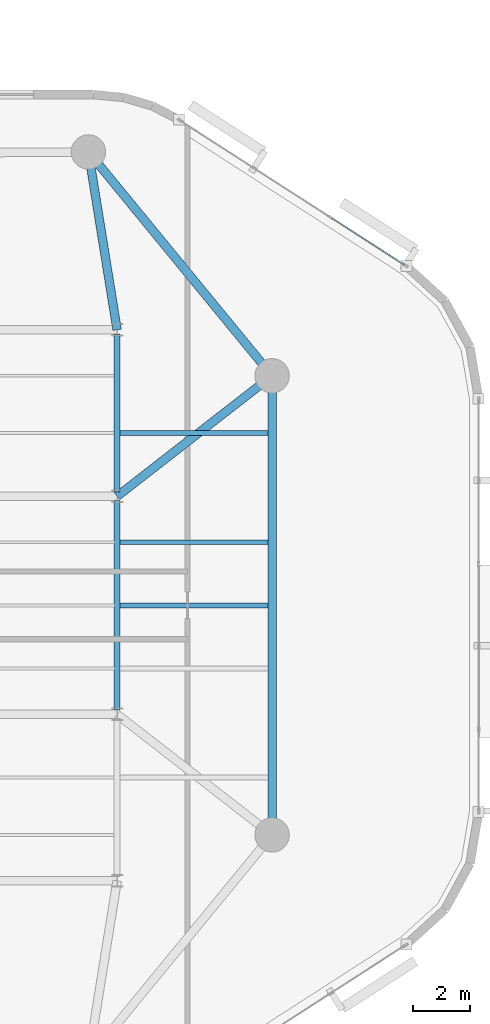
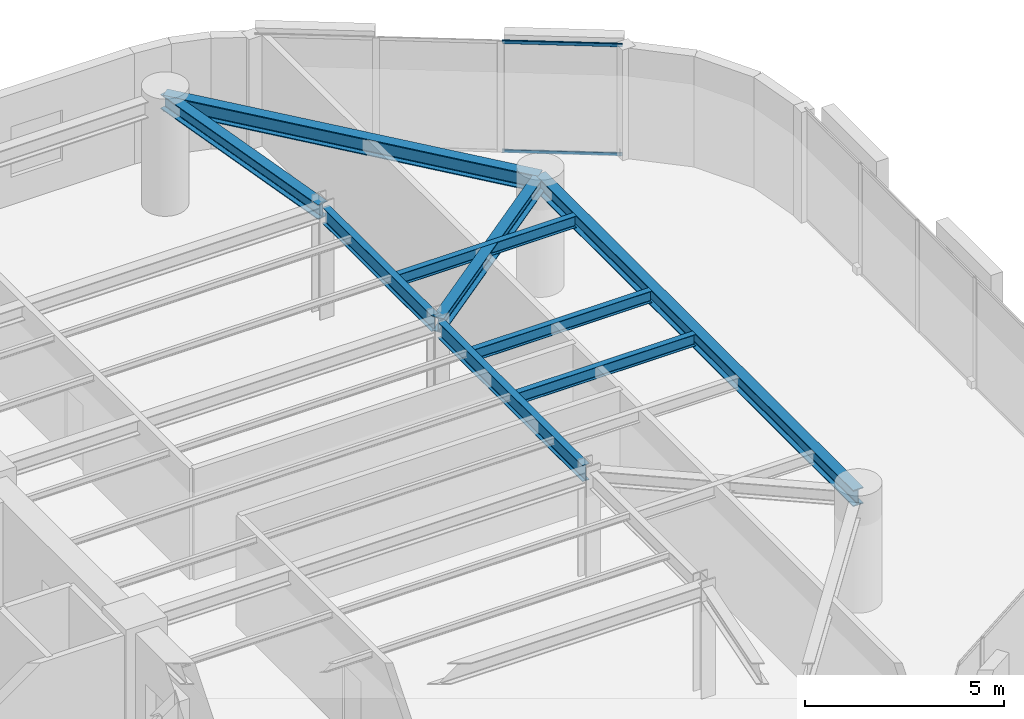
# One storey, part 4 of 14: 9 beams, 2 members, 1 element without a shape of its own.
"""IFC4 building model written with IfcOpenShell, lengths in metres."""

from ifc_helpers import new_model, si_unit, direction, frame, origin, origin_2d, place, context, subcontext, project, spatial, hollow_rectangle, i_section, extrude, material, layer, layer_set, material_profile, profile_set, type_object, element, aggregate, save


model = new_model("IFC4")

# Units and contexts
model_context = context("Model", 3, precision=1e-05, world=origin(), true_north=direction((0.0, 1.0)))
body_context = subcontext(model_context, "Body", "Model", "MODEL_VIEW")
ifc_project = project(units=[si_unit("LENGTHUNIT", "METRE"), si_unit("AREAUNIT", "SQUARE_METRE"), si_unit("VOLUMEUNIT", "CUBIC_METRE"), si_unit("PLANEANGLEUNIT", "RADIAN"), si_unit("MASSUNIT", "GRAM", prefix="KILO")], contexts=[model_context])

# Site, building, storey
site_placement = place(None, origin())
site = spatial("IfcSite", under=ifc_project, at=site_placement, CompositionType="ELEMENT")
building_placement = place(site_placement, origin())
building = spatial("IfcBuilding", under=site, at=building_placement, Name="An Khanh Terracotta Commons", CompositionType="ELEMENT")
storey_placement = place(building_placement, frame((0.0, 0.0, 154.60009765625)))
storey = spatial("IfcBuildingStorey", under=building, at=storey_placement, Name="L40", CompositionType="ELEMENT", Elevation=154.60009765625)

# Beams
ifc_material_1 = material(Name="Steel S355J2", Category="steel")
ifc_material_profile_1 = material_profile(ifc_material_1, i_section(OverallWidth=0.300048828125, OverallDepth=0.449951171875, WebThickness=0.013916015625, FlangeThickness=0.02587890625, FilletRadius=0.027099609375, at=origin_2d()), Name="HEB450")
ifc_profile_set_1 = profile_set([ifc_material_profile_1], Name="Steel S355J2")
beam_type_1 = type_object("IfcBeamType", Name="BM-HEB450", PredefinedType="BEAM", material=ifc_profile_set_1)
beam_1_placement = place(storey_placement, frame((55.800048828125, 32.0, 3.1748046875), z_axis=(-0.789363746927, -0.61392578952, 0.0), x_axis=(0.61392578952, -0.789363746927, 0.0)))
element("IfcBeam", 1, at=beam_1_placement, inside=storey, type_object=beam_type_1, Name="L40 Mega-Column Tie Girder 4", PredefinedType="BEAM", context=body_context, shape_type="SweptSolid", body=[
    extrude(i_section(OverallWidth=0.300048828125, OverallDepth=0.449951171875, WebThickness=0.013916015625, FlangeThickness=0.02587890625, FilletRadius=0.027099609375, at=origin_2d()), origin(), (0.0, 0.0, 1.0), 6.841064453125),
])
beam_2_placement = place(storey_placement, frame((49.39990234375, 39.800048828125, 3.1748046875), z_axis=(0.159233661074, -0.987240923575, 0.0), x_axis=(0.987240923575, 0.159233661074, 0.0)))
element("IfcBeam", 2, at=beam_2_placement, inside=storey, type_object=beam_type_1, Name="L40 Mega-Column Tie Girder 5", PredefinedType="BEAM", context=body_context, shape_type="SweptSolid", body=[
    extrude(i_section(OverallWidth=0.300048828125, OverallDepth=0.449951171875, WebThickness=0.013916015625, FlangeThickness=0.02587890625, FilletRadius=0.027099609375, at=origin_2d()), origin(), (0.0, 0.0, 1.0), 6.280029296875),
])
ifc_material_profile_2 = material_profile(ifc_material_1, i_section(OverallWidth=0.300048828125, OverallDepth=0.5, WebThickness=0.014404296875, FlangeThickness=0.028076171875, FilletRadius=0.027099609375, at=origin_2d()), Name="HEB500")
ifc_profile_set_2 = profile_set([ifc_material_profile_2], Name="Steel S355J2")
beam_type_2 = type_object("IfcBeamType", Name="BM-HEB500", PredefinedType="BEAM", material=ifc_profile_set_2)
beam_3_placement = place(storey_placement, frame((55.800048828125, 16.0, 3.14990234375), z_axis=(0.0, 1.0, 0.0), x_axis=(-1.0, 0.0, 0.0)))
element("IfcBeam", 3, at=beam_3_placement, inside=storey, type_object=beam_type_2, Name="L40 Perimeter Ring Spandrel 3", PredefinedType="BEAM", context=body_context, shape_type="SweptSolid", body=[
    extrude(i_section(OverallWidth=0.300048828125, OverallDepth=0.5, WebThickness=0.014404296875, FlangeThickness=0.028076171875, FilletRadius=0.027099609375, at=origin_2d()), origin(), (0.0, 0.0, 1.0), 16.0),
])
beam_4_placement = place(storey_placement, frame((55.800048828125, 32.0, 3.14990234375), z_axis=(-0.634322915223, 0.7730681983, 0.0), x_axis=(-0.7730681983, -0.634322915223, 0.0)))
element("IfcBeam", 4, at=beam_4_placement, inside=storey, type_object=beam_type_2, Name="L40 Perimeter Ring Spandrel 4", PredefinedType="BEAM", context=body_context, shape_type="SweptSolid", body=[
    extrude(i_section(OverallWidth=0.300048828125, OverallDepth=0.5, WebThickness=0.014404296875, FlangeThickness=0.028076171875, FilletRadius=0.027099609375, at=origin_2d()), origin(), (0.0, 0.0, 1.0), 10.08984375),
])
ifc_material_profile_3 = material_profile(ifc_material_1, i_section(OverallWidth=0.169921875, OverallDepth=0.360107421875, WebThickness=0.008056640625, FlangeThickness=0.0126953125, FilletRadius=0.01806640625, at=origin_2d()), Name="IPE360")
ifc_profile_set_3 = profile_set([ifc_material_profile_3], Name="Steel S355J2")
beam_type_3 = type_object("IfcBeamType", Name="BM-IPE360", PredefinedType="JOIST", material=ifc_profile_set_3)
for number, where, z_axis, x_axis, name in (
    (5, (50.5, 24.0, 3.219970703125), (1.0, 0.0, 0.0), (0.0, 1.0, 0.0), "L40 Riverfront Composite Joist 4"),
    (6, (50.5, 26.199951171875, 3.219970703125), (1.0, 0.0, 0.0), (0.0, 1.0, 0.0), "L40 Riverfront Composite Joist 5"),
    (7, (50.5, 30.0, 3.219970703125), (1.0, 0.0, 0.0), (0.0, 1.0, 0.0), "L40 Riverfront Composite Joist 6"),
):
    element("IfcBeam", number, at=place(storey_placement, frame(where, z_axis=z_axis, x_axis=x_axis)), inside=storey, type_object=beam_type_3, Name=name, PredefinedType="JOIST", context=body_context, shape_type="SweptSolid", body=[
        extrude(i_section(OverallWidth=0.169921875, OverallDepth=0.360107421875, WebThickness=0.008056640625, FlangeThickness=0.0126953125, FilletRadius=0.01806640625, at=origin_2d()), origin(), (0.0, 0.0, 1.0), 5.14990234375),
    ])
ifc_material_profile_4 = material_profile(ifc_material_1, i_section(OverallWidth=0.199951171875, OverallDepth=0.5, WebThickness=0.01025390625, FlangeThickness=0.01611328125, FilletRadius=0.02099609375, at=origin_2d()), Name="IPE500")
ifc_profile_set_4 = profile_set([ifc_material_profile_4], Name="Steel S355J2")
beam_type_4 = type_object("IfcBeamType", Name="BM-IPE500", PredefinedType="BEAM", material=ifc_profile_set_4)
beam_5_placement = place(storey_placement, frame((50.39990234375, 20.35009765625, 3.14990234375), z_axis=(0.0, 1.0, 0.0), x_axis=(-1.0, 0.0, 0.0)))
element("IfcBeam", 8, at=beam_5_placement, inside=storey, type_object=beam_type_4, Name="L40 East Spine Girder 2", PredefinedType="BEAM", context=body_context, shape_type="SweptSolid", body=[
    extrude(i_section(OverallWidth=0.199951171875, OverallDepth=0.5, WebThickness=0.01025390625, FlangeThickness=0.01611328125, FilletRadius=0.02099609375, at=origin_2d()), origin(), (0.0, 0.0, 1.0), 7.2998046875),
])
beam_6_placement = place(storey_placement, frame((50.39990234375, 27.949951171875, 3.14990234375), z_axis=(0.0, 1.0, 0.0), x_axis=(-1.0, 0.0, 0.0)))
element("IfcBeam", 9, at=beam_6_placement, inside=storey, type_object=beam_type_4, Name="L40 East Spine Girder 3", PredefinedType="BEAM", context=body_context, shape_type="SweptSolid", body=[
    extrude(i_section(OverallWidth=0.199951171875, OverallDepth=0.5, WebThickness=0.01025390625, FlangeThickness=0.01611328125, FilletRadius=0.02099609375, at=origin_2d()), origin(), (0.0, 0.0, 1.0), 5.5),
])

# Curtain wall, members
ifc_material_2 = material(Name="Anodised Aluminium 6063-T6", Category="aluminium")
ifc_layer = layer(ifc_material_2, 0.2099609375, Name="Anodised Aluminium 6063-T6")
ifc_layer_set = layer_set([ifc_layer], Name="Anodised Aluminium 6063-T6")
curtain_wall_type = type_object("IfcCurtainWallType", Name="CW-SYS-03", PredefinedType="USERDEFINED", material=ifc_layer_set)
curtain_wall_placement = place(storey_placement, origin())
curtain_wall = element("IfcCurtainWall", 10, at=curtain_wall_placement, inside=storey, type_object=curtain_wall_type, Name="L40 CW-03 Unitised Curtain Wall CW-L40-16", ObjectType="UNITISED CURTAIN WALL", PredefinedType="USERDEFINED")
ifc_material_profile_5 = material_profile(ifc_material_2, hollow_rectangle(XDim=0.050048828125, YDim=0.10009765625, WallThickness=0.003173828125, InnerFilletRadius=0.003173828125, OuterFilletRadius=0.00634765625, at=origin_2d()), Name="RHS100x50x3.2")
ifc_profile_set_5 = profile_set([ifc_material_profile_5], Name="Anodised Aluminium 6063-T6")
member_type = type_object("IfcMemberType", Name="CWT-RHS100x50x3.2", PredefinedType="USERDEFINED", material=ifc_profile_set_5)
member_1_placement = place(storey_placement, frame((60.419189453125, 35.86181640625, 0.02490234375), z_axis=(-0.840673595852, 0.541542154626, 0.0), x_axis=(-0.541542154626, -0.840673595852, 0.0)))
member_1 = element("IfcMember", 11, at=member_1_placement, type_object=member_type, Name="CW-03 transom 1.1", ObjectType="TRANSOM", PredefinedType="USERDEFINED", context=body_context, shape_type="SweptSolid", body=[
    extrude(hollow_rectangle(XDim=0.050048828125, YDim=0.10009765625, WallThickness=0.003173828125, InnerFilletRadius=0.003173828125, OuterFilletRadius=0.00634765625, at=origin_2d()), origin(), (0.0, 0.0, 1.0), 3.034423828125),
])
member_2_placement = place(storey_placement, frame((60.419189453125, 35.86181640625, 3.375), z_axis=(-0.840673595852, 0.541542154626, 0.0), x_axis=(-0.541542154626, -0.840673595852, 0.0)))
member_2 = element("IfcMember", 12, at=member_2_placement, type_object=member_type, Name="CW-03 transom 1.2", ObjectType="TRANSOM", PredefinedType="USERDEFINED", context=body_context, shape_type="SweptSolid", body=[
    extrude(hollow_rectangle(XDim=0.050048828125, YDim=0.10009765625, WallThickness=0.003173828125, InnerFilletRadius=0.003173828125, OuterFilletRadius=0.00634765625, at=origin_2d()), origin(), (0.0, 0.0, 1.0), 3.034423828125),
])
aggregate(curtain_wall, [member_1, member_2])

save(model, "model.ifc")
